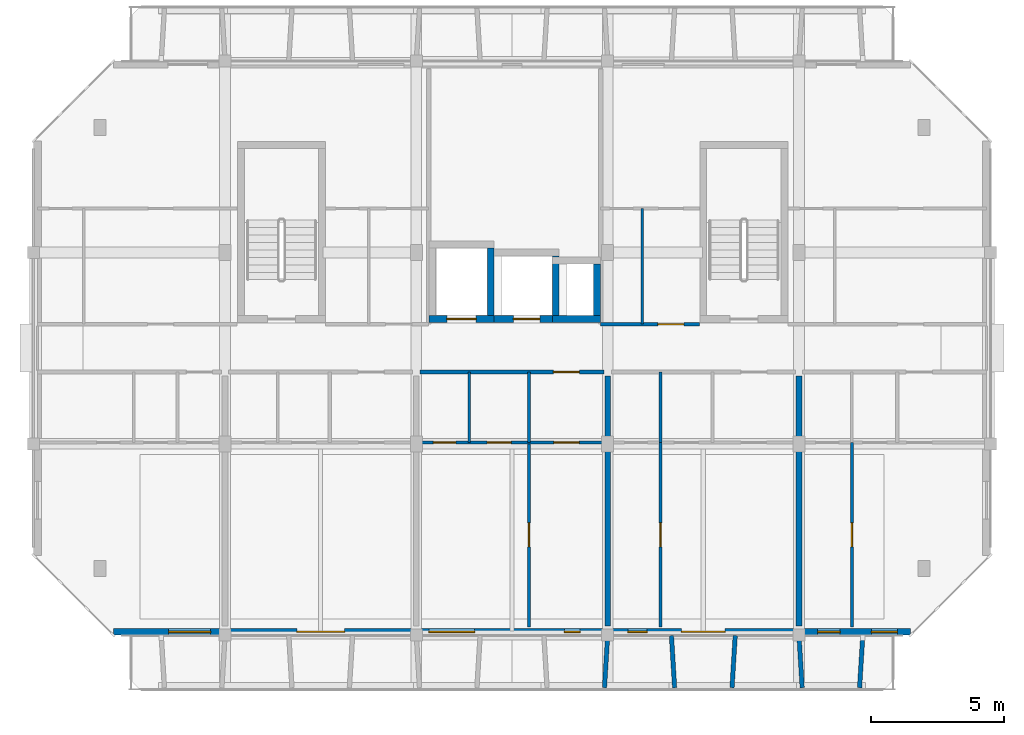
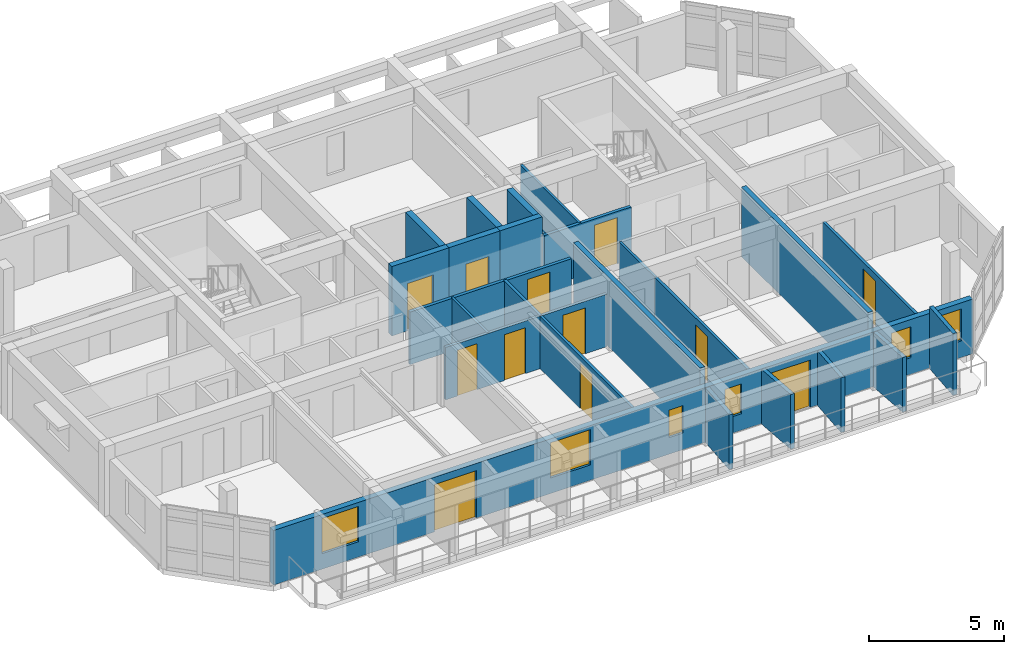
# One storey, part 9 of 22: 24 walls, 12 doors, 6 windows, 18 openings.
"""IFC4 building model written with IfcOpenShell, lengths in metres."""

from ifc_helpers import new_model, si_unit, direction, frame, frame_2d, origin, place, context, subcontext, project, spatial, rectangle, extrude, material, layer, layer_set, type_object, element, fill, save


model = new_model("IFC4")

# Units and contexts
model_context = context("Model", 3, precision=1e-05, world=origin(), true_north=direction((0.0, 1.0)))
body_context = subcontext(model_context, "Body", "Model", "MODEL_VIEW")
ifc_project = project(units=[si_unit("LENGTHUNIT", "METRE"), si_unit("AREAUNIT", "SQUARE_METRE"), si_unit("VOLUMEUNIT", "CUBIC_METRE"), si_unit("PLANEANGLEUNIT", "RADIAN"), si_unit("MASSUNIT", "GRAM", prefix="KILO")], contexts=[model_context])

# Site, building, storey
site_placement = place(None, origin())
site = spatial("IfcSite", under=ifc_project, at=site_placement, CompositionType="ELEMENT")
building_placement = place(site_placement, origin())
building = spatial("IfcBuilding", under=site, at=building_placement, Name="Ochrevale Crest", CompositionType="ELEMENT")
storey_placement = place(building_placement, frame((0.0, 0.0, 40.199951171875)))
storey = spatial("IfcBuildingStorey", under=building, at=storey_placement, Name="L12", CompositionType="ELEMENT", Elevation=40.199951171875)

# Wall, opening, door
ifc_material_1 = material(Name="Gypsum plasterboard", Category="gypsum")
ifc_layer_1 = layer(ifc_material_1, 0.139892578125)
ifc_layer_set_1 = layer_set([ifc_layer_1], Name="Gypsum plasterboard")
wall_type_1 = type_object("IfcWallType", Name="WL-COR-140", PredefinedType="PARTITIONING", material=ifc_layer_set_1)
wall_1_placement = place(storey_placement, frame((144.139892578125, 24.300048828125, 0.0), z_axis=(0.0, 0.0, 1.0), x_axis=(1.0, 0.0, 0.0)))
wall_1 = element("IfcWall", 1, at=wall_1_placement, inside=storey, type_object=wall_type_1, Name="Apartment C-L12-U3 corridor wall", PredefinedType="PARTITIONING", context=body_context, shape_type="SweptSolid", body=[
    extrude(rectangle(XDim=6.920166015625, YDim=0.139892578125, at=frame_2d((3.4599609375, 0.0))), origin(), (0.0, 0.0, 1.0), 2.380126953125),
])
opening_1_placement = place(wall_1_placement, frame((5.02001953125, 0.0, 0.0)))
opening_1 = element("IfcOpeningElement", 2, at=opening_1_placement, cuts=wall_1, Name="Opening FD01", PredefinedType="OPENING", context=body_context, shape_type="SweptSolid", body=[
    extrude(rectangle(XDim=0.97998046875, YDim=2.10009765625, at=frame_2d((0.489990234375, 1.050048828125))), frame((0.0, 0.080078125, 0.0), z_axis=(0.0, -1.0, 0.0), x_axis=(1.0, 0.0, 0.0)), (0.0, 0.0, 1.0), 0.159912109375),
])
ifc_material_2 = material(Name="Solid-core FSC hardwood", Category="wood")
door_type_1 = type_object("IfcDoorType", Name="DR-APT-950", OperationType="NOTDEFINED", PredefinedType="DOOR", material=ifc_material_2)
door_1_placement = place(opening_1_placement, origin())
door_1 = element("IfcDoor", 3, at=door_1_placement, inside=storey, type_object=door_type_1, Name="Apartment C-L12-U3 entrance door", OperationType="SINGLE_SWING_LEFT", OverallHeight=2.10009765625, OverallWidth=0.97998046875, PredefinedType="DOOR", context=body_context, shape_type="SweptSolid", body=[
    extrude(rectangle(XDim=0.97998046875, YDim=2.10009765625, at=frame_2d((0.489990234375, 1.050048828125))), frame((0.0, 0.02490234375, 0.0), z_axis=(0.0, -1.0, 0.0), x_axis=(1.0, 0.0, 0.0)), (0.0, 0.0, 1.0), 0.050048828125),
])
fill(opening_1, door_1)

wall_2_placement = place(storey_placement, frame((150.93994140625, 26.10009765625, 0.0), z_axis=(0.0, 0.0, 1.0), x_axis=(1.0, 0.0, 0.0)))
wall_2 = element("IfcWall", 4, at=wall_2_placement, inside=storey, type_object=wall_type_1, Name="Suite C-L12-ME corridor wall", PredefinedType="PARTITIONING", context=body_context, shape_type="SweptSolid", body=[
    extrude(rectangle(XDim=3.719970703125, YDim=0.139892578125, at=frame_2d((1.85986328125, 0.0))), origin(), (0.0, 0.0, 1.0), 2.380126953125),
])
opening_2_placement = place(wall_2_placement, frame((3.131103515625, 0.0, 0.0), z_axis=(0.0, 0.0, 1.0), x_axis=(-1.0, 0.0, 0.0)))
opening_2 = element("IfcOpeningElement", 5, at=opening_2_placement, cuts=wall_2, Name="Opening FD01", PredefinedType="OPENING", context=body_context, shape_type="SweptSolid", body=[
    extrude(rectangle(XDim=0.97998046875, YDim=2.10009765625, at=frame_2d((0.489990234375, 1.050048828125))), frame((0.0, 0.080078125, 0.0), z_axis=(0.0, -1.0, 0.0), x_axis=(1.0, 0.0, 0.0)), (0.0, 0.0, 1.0), 0.159912109375),
])
door_2_placement = place(opening_2_placement, origin())
door_2 = element("IfcDoor", 6, at=door_2_placement, inside=storey, type_object=door_type_1, Name="Suite C-L12-ME entrance door", OperationType="SINGLE_SWING_RIGHT", OverallHeight=2.10009765625, OverallWidth=0.97998046875, PredefinedType="DOOR", context=body_context, shape_type="SweptSolid", body=[
    extrude(rectangle(XDim=0.97998046875, YDim=2.10009765625, at=frame_2d((0.489990234375, 1.050048828125))), frame((0.0, 0.02490234375, 0.0), z_axis=(0.0, -1.0, 0.0), x_axis=(1.0, 0.0, 0.0)), (0.0, 0.0, 1.0), 0.050048828125),
])
fill(opening_2, door_2)

ifc_material_3 = material(Name="Precast concrete C50/60", Category="concrete")
ifc_layer_2 = layer(ifc_material_3, 0.2548828125)
ifc_layer_set_2 = layer_set([ifc_layer_2], Name="Precast concrete C50/60")
wall_type_2 = type_object("IfcWallType", Name="WL-CORE-255", PredefinedType="SHEAR", material=ifc_layer_set_2)
wall_3_placement = place(storey_placement, frame((144.472412109375, 26.300048828125, 0.0), z_axis=(0.0, 0.0, 1.0), x_axis=(1.0, 0.0, 0.0)))
wall_3 = element("IfcWall", 7, at=wall_3_placement, inside=storey, type_object=wall_type_2, Name="Block C L12 Lift 1 precast shaft shear wall S", PredefinedType="SHEAR", context=body_context, shape_type="SweptSolid", body=[
    extrude(rectangle(XDim=2.455078125, YDim=0.2548828125, at=frame_2d((1.2275390625, 0.0))), origin(), (0.0, 0.0, 1.0), 3.150146484375),
])
opening_3_placement = place(wall_3_placement, frame((0.677490234375, 0.0, 0.0)))
opening_3 = element("IfcOpeningElement", 8, at=opening_3_placement, cuts=wall_3, Name="Opening LD01", PredefinedType="OPENING", context=body_context, shape_type="SweptSolid", body=[
    extrude(rectangle(XDim=1.10009765625, YDim=2.14990234375, at=frame_2d((0.550048828125, 1.074951171875))), frame((0.0, 0.137451171875, 0.0), z_axis=(0.0, -1.0, 0.0), x_axis=(1.0, 0.0, 0.0)), (0.0, 0.0, 1.0), 0.27490234375),
])
door_type_2 = type_object("IfcDoorType", Name="DR-LIFT-1100", OperationType="NOTDEFINED", PredefinedType="DOOR", material=ifc_material_2)
door_3_placement = place(opening_3_placement, origin())
door_3 = element("IfcDoor", 9, at=door_3_placement, inside=storey, type_object=door_type_2, Name="Lift LF-C1 L12 sliding landing door", OperationType="SLIDING_TO_LEFT", OverallHeight=2.14990234375, OverallWidth=1.10009765625, PredefinedType="DOOR", context=body_context, shape_type="SweptSolid", body=[
    extrude(rectangle(XDim=1.10009765625, YDim=2.14990234375, at=frame_2d((0.550048828125, 1.074951171875))), frame((0.0, 0.02490234375, 0.0), z_axis=(0.0, -1.0, 0.0), x_axis=(1.0, 0.0, 0.0)), (0.0, 0.0, 1.0), 0.050048828125),
])
fill(opening_3, door_3)

# Wall
wall_4_placement = place(storey_placement, frame((146.800048828125, 26.427490234375, 0.0), z_axis=(0.0, 0.0, 1.0), x_axis=(0.0, 1.0, 0.0)))
element("IfcWall", 10, at=wall_4_placement, inside=storey, type_object=wall_type_2, Name="Block C L12 Lift 1 precast shaft shear wall E", PredefinedType="SHEAR", context=body_context, shape_type="SweptSolid", body=[
    extrude(rectangle(XDim=2.544921875, YDim=0.2548828125, at=frame_2d((1.2724609375, 0.0))), origin(), (0.0, 0.0, 1.0), 3.150146484375),
])

# Wall, opening, door
wall_5_placement = place(storey_placement, frame((146.922607421875, 26.300048828125, 0.0), z_axis=(0.0, 0.0, 1.0), x_axis=(1.0, 0.0, 0.0)))
wall_5 = element("IfcWall", 11, at=wall_5_placement, inside=storey, type_object=wall_type_2, Name="Block C L12 Lift 2 precast shaft shear wall S", PredefinedType="SHEAR", context=body_context, shape_type="SweptSolid", body=[
    extrude(rectangle(XDim=2.454833984375, YDim=0.2548828125, at=frame_2d((1.2275390625, 0.0))), origin(), (0.0, 0.0, 1.0), 3.150146484375),
])
opening_4_placement = place(wall_5_placement, frame((0.7275390625, 0.0, 0.0)))
opening_4 = element("IfcOpeningElement", 12, at=opening_4_placement, cuts=wall_5, Name="Opening LD02", PredefinedType="OPENING", context=body_context, shape_type="SweptSolid", body=[
    extrude(rectangle(XDim=1.0, YDim=2.14990234375, at=frame_2d((0.5, 1.074951171875))), frame((0.0, 0.137451171875, 0.0), z_axis=(0.0, -1.0, 0.0), x_axis=(1.0, 0.0, 0.0)), (0.0, 0.0, 1.0), 0.27490234375),
])
door_type_3 = type_object("IfcDoorType", Name="DR-LIFT-1000", OperationType="NOTDEFINED", PredefinedType="DOOR", material=ifc_material_2)
door_4_placement = place(opening_4_placement, origin())
door_4 = element("IfcDoor", 13, at=door_4_placement, inside=storey, type_object=door_type_3, Name="Lift LP-C2 L12 sliding landing door", OperationType="SLIDING_TO_RIGHT", OverallHeight=2.14990234375, OverallWidth=1.0, PredefinedType="DOOR", context=body_context, shape_type="SweptSolid", body=[
    extrude(rectangle(XDim=1.0, YDim=2.14990234375, at=frame_2d((0.5, 1.074951171875))), frame((0.0, 0.02490234375, 0.0), z_axis=(0.0, -1.0, 0.0), x_axis=(1.0, 0.0, 0.0)), (0.0, 0.0, 1.0), 0.050048828125),
])
fill(opening_4, door_4)

# Walls
wall_6_placement = place(storey_placement, frame((149.25, 26.427490234375, 0.0), z_axis=(0.0, 0.0, 1.0), x_axis=(0.0, 1.0, 0.0)))
element("IfcWall", 14, at=wall_6_placement, inside=storey, type_object=wall_type_2, Name="Block C L12 Lift 2 precast shaft shear wall E", PredefinedType="SHEAR", context=body_context, shape_type="SweptSolid", body=[
    extrude(rectangle(XDim=2.2451171875, YDim=0.2548828125, at=frame_2d((1.12255859375, 0.0))), origin(), (0.0, 0.0, 1.0), 3.150146484375),
])
wall_7_placement = place(storey_placement, frame((149.12255859375, 26.300048828125, 0.0), z_axis=(0.0, 0.0, 1.0), x_axis=(1.0, 0.0, 0.0)))
element("IfcWall", 15, at=wall_7_placement, inside=storey, type_object=wall_type_2, Name="Block C L12 services riser shaft core wall S", PredefinedType="SHEAR", context=body_context, shape_type="SweptSolid", body=[
    extrude(rectangle(XDim=1.804931640625, YDim=0.2548828125, at=frame_2d((0.90234375, 0.0))), origin(), (0.0, 0.0, 1.0), 3.150146484375),
])
wall_8_placement = place(storey_placement, frame((150.800048828125, 26.427490234375, 0.0), z_axis=(0.0, 0.0, 1.0), x_axis=(0.0, 1.0, 0.0)))
element("IfcWall", 16, at=wall_8_placement, inside=storey, type_object=wall_type_2, Name="Block C L12 services riser shaft core wall E", PredefinedType="SHEAR", context=body_context, shape_type="SweptSolid", body=[
    extrude(rectangle(XDim=1.945068359375, YDim=0.2548828125, at=frame_2d((0.97265625, 0.0))), origin(), (0.0, 0.0, 1.0), 3.150146484375),
])

# Wall, openings, doors, windows
ifc_material_4 = material(Name="Precast concrete C40/50", Category="concrete")
ifc_layer_3 = layer(ifc_material_4, 0.25)
ifc_layer_set_3 = layer_set([ifc_layer_3], Name="Precast concrete C40/50")
wall_type_3 = type_object("IfcWallType", Name="WL-EXT-GOLD-250", PredefinedType="SOLIDWALL", material=ifc_layer_set_3)
wall_9_placement = place(storey_placement, frame((132.60009765625, 14.52490234375, 0.0), z_axis=(0.0, 0.0, 1.0), x_axis=(1.0, 0.0, 0.0)))
wall_9 = element("IfcWall", 17, at=wall_9_placement, inside=storey, type_object=wall_type_3, Name="Block C L12 external facade wall E1", PredefinedType="SOLIDWALL", context=body_context, shape_type="SweptSolid", body=[
    extrude(rectangle(XDim=30.0, YDim=0.25, at=frame_2d((15.0, 0.0))), origin(), (0.0, 0.0, 1.0), 2.47998046875),
])
opening_5_placement = place(wall_9_placement, frame((8.699951171875, 0.0, 0.0), z_axis=(0.0, 0.0, 1.0), x_axis=(-1.0, 0.0, 0.0)))
opening_5 = element("IfcOpeningElement", 18, at=opening_5_placement, cuts=wall_9, Name="Opening BD03", PredefinedType="OPENING", context=body_context, shape_type="SweptSolid", body=[
    extrude(rectangle(XDim=1.800048828125, YDim=2.14990234375, at=frame_2d((0.89990234375, 1.074951171875))), frame((0.0, 0.135009765625, 0.0), z_axis=(0.0, -1.0, 0.0), x_axis=(1.0, 0.0, 0.0)), (0.0, 0.0, 1.0), 0.27001953125),
])
opening_6_placement = place(wall_9_placement, frame((23.02490234375, 0.0, 0.0), z_axis=(0.0, 0.0, 1.0), x_axis=(-1.0, 0.0, 0.0)))
opening_6 = element("IfcOpeningElement", 19, at=opening_6_placement, cuts=wall_9, Name="Opening BD02", PredefinedType="OPENING", context=body_context, shape_type="SweptSolid", body=[
    extrude(rectangle(XDim=1.64990234375, YDim=2.14990234375, at=frame_2d((0.824951171875, 1.074951171875))), frame((0.0, 0.135009765625, 0.0), z_axis=(0.0, -1.0, 0.0), x_axis=(1.0, 0.0, 0.0)), (0.0, 0.0, 1.0), 0.27001953125),
])
opening_7_placement = place(wall_9_placement, frame((2.077392578125, 0.0, 0.699951171875)))
opening_7 = element("IfcOpeningElement", 20, at=opening_7_placement, cuts=wall_9, Name="Opening W09", PredefinedType="OPENING", context=body_context, shape_type="SweptSolid", body=[
    extrude(rectangle(XDim=1.580078125, YDim=1.60009765625, at=frame_2d((0.7900390625, 0.800048828125))), frame((0.0, 0.135009765625, 0.0), z_axis=(0.0, -1.0, 0.0), x_axis=(1.0, 0.0, 0.0)), (0.0, 0.0, 1.0), 0.27001953125),
])
opening_8_placement = place(wall_9_placement, frame((11.87255859375, 0.0, 0.699951171875)))
opening_8 = element("IfcOpeningElement", 21, at=opening_8_placement, cuts=wall_9, Name="Opening W10", PredefinedType="OPENING", context=body_context, shape_type="SweptSolid", body=[
    extrude(rectangle(XDim=1.719970703125, YDim=1.60009765625, at=frame_2d((0.85986328125, 0.800048828125))), frame((0.0, 0.135009765625, 0.0), z_axis=(0.0, -1.0, 0.0), x_axis=(1.0, 0.0, 0.0)), (0.0, 0.0, 1.0), 0.27001953125),
])
opening_9_placement = place(wall_9_placement, frame((16.967529296875, 0.0, 0.75)))
opening_9 = element("IfcOpeningElement", 22, at=opening_9_placement, cuts=wall_9, Name="Opening W01", PredefinedType="OPENING", context=body_context, shape_type="SweptSolid", body=[
    extrude(rectangle(XDim=0.60009765625, YDim=1.25, at=frame_2d((0.300048828125, 0.625))), frame((0.0, 0.135009765625, 0.0), z_axis=(0.0, -1.0, 0.0), x_axis=(1.0, 0.0, 0.0)), (0.0, 0.0, 1.0), 0.27001953125),
])
opening_10_placement = place(wall_9_placement, frame((19.362548828125, 0.0, 0.75)))
opening_10 = element("IfcOpeningElement", 23, at=opening_10_placement, cuts=wall_9, Name="Opening W02", PredefinedType="OPENING", context=body_context, shape_type="SweptSolid", body=[
    extrude(rectangle(XDim=0.719970703125, YDim=1.35009765625, at=frame_2d((0.35986328125, 0.675048828125))), frame((0.0, 0.135009765625, 0.0), z_axis=(0.0, -1.0, 0.0), x_axis=(1.0, 0.0, 0.0)), (0.0, 0.0, 1.0), 0.27001953125),
])
opening_11_placement = place(wall_9_placement, frame((26.49755859375, 0.0, 0.75)))
opening_11 = element("IfcOpeningElement", 24, at=opening_11_placement, cuts=wall_9, Name="Opening W03", PredefinedType="OPENING", context=body_context, shape_type="SweptSolid", body=[
    extrude(rectangle(XDim=0.85009765625, YDim=1.39990234375, at=frame_2d((0.425048828125, 0.699951171875))), frame((0.0, 0.135009765625, 0.0), z_axis=(0.0, -1.0, 0.0), x_axis=(1.0, 0.0, 0.0)), (0.0, 0.0, 1.0), 0.27001953125),
])
opening_12_placement = place(wall_9_placement, frame((28.52490234375, 0.0, 0.75)))
opening_12 = element("IfcOpeningElement", 25, at=opening_12_placement, cuts=wall_9, Name="Opening W04", PredefinedType="OPENING", context=body_context, shape_type="SweptSolid", body=[
    extrude(rectangle(XDim=0.97998046875, YDim=1.449951171875, at=frame_2d((0.489990234375, 0.72509765625))), frame((0.0, 0.135009765625, 0.0), z_axis=(0.0, -1.0, 0.0), x_axis=(1.0, 0.0, 0.0)), (0.0, 0.0, 1.0), 0.27001953125),
])
ifc_material_5 = material(Name="Anodised aluminium 6063-T5 and toughened glass", Category="aluminium")
door_type_4 = type_object("IfcDoorType", Name="DR-BAL-1650", OperationType="NOTDEFINED", PredefinedType="DOOR", material=ifc_material_5)
door_5_placement = place(opening_6_placement, origin())
door_5 = element("IfcDoor", 26, at=door_5_placement, inside=storey, type_object=door_type_4, Name="Block C L12 balcony door S4", OperationType="SINGLE_SWING_LEFT", OverallHeight=2.14990234375, OverallWidth=1.64990234375, PredefinedType="DOOR", context=body_context, shape_type="SweptSolid", body=[
    extrude(rectangle(XDim=1.64990234375, YDim=2.14990234375, at=frame_2d((0.824951171875, 1.074951171875))), frame((0.0, 0.02490234375, 0.0), z_axis=(0.0, -1.0, 0.0), x_axis=(1.0, 0.0, 0.0)), (0.0, 0.0, 1.0), 0.050048828125),
])
fill(opening_6, door_5)
door_type_5 = type_object("IfcDoorType", Name="DR-BAL-1800", OperationType="NOTDEFINED", PredefinedType="DOOR", material=ifc_material_5)
door_6_placement = place(opening_5_placement, origin())
door_6 = element("IfcDoor", 27, at=door_6_placement, inside=storey, type_object=door_type_5, Name="Block C L12 balcony door S2", OperationType="SINGLE_SWING_RIGHT", OverallHeight=2.14990234375, OverallWidth=1.800048828125, PredefinedType="DOOR", context=body_context, shape_type="SweptSolid", body=[
    extrude(rectangle(XDim=1.800048828125, YDim=2.14990234375, at=frame_2d((0.89990234375, 1.074951171875))), frame((0.0, 0.02490234375, 0.0), z_axis=(0.0, -1.0, 0.0), x_axis=(1.0, 0.0, 0.0)), (0.0, 0.0, 1.0), 0.050048828125),
])
fill(opening_5, door_6)
ifc_material_6 = material(Name="Anodised aluminium 6063-T5 and low-E double glazing", Category="aluminium")
window_type_1 = type_object("IfcWindowType", Name="WIN-W01", PartitioningType="SINGLE_PANEL", PredefinedType="WINDOW", material=ifc_material_6)
window_1_placement = place(opening_9_placement, origin())
window_1 = element("IfcWindow", 28, at=window_1_placement, inside=storey, type_object=window_type_1, Name="Block C L12 Apartment C-L12-U3 Two Bedroom Living Room window", OverallHeight=1.25, OverallWidth=0.60009765625, PartitioningType="SINGLE_PANEL", PredefinedType="WINDOW", context=body_context, shape_type="SweptSolid", body=[
    extrude(rectangle(XDim=0.60009765625, YDim=1.25, at=frame_2d((0.300048828125, 0.625))), frame((0.0, 0.030029296875, 0.0), z_axis=(0.0, -1.0, 0.0), x_axis=(1.0, 0.0, 0.0)), (0.0, 0.0, 1.0), 0.06005859375),
])
fill(opening_9, window_1)
window_type_2 = type_object("IfcWindowType", Name="WIN-W02", PartitioningType="SINGLE_PANEL", PredefinedType="WINDOW", material=ifc_material_6)
window_2_placement = place(opening_10_placement, origin())
window_2 = element("IfcWindow", 29, at=window_2_placement, inside=storey, type_object=window_type_2, Name="Block C L12 Apartment C-L12-U4 Master Bedroom window", OverallHeight=1.35009765625, OverallWidth=0.719970703125, PartitioningType="SINGLE_PANEL", PredefinedType="WINDOW", context=body_context, shape_type="SweptSolid", body=[
    extrude(rectangle(XDim=0.719970703125, YDim=1.35009765625, at=frame_2d((0.35986328125, 0.675048828125))), frame((0.0, 0.030029296875, 0.0), z_axis=(0.0, -1.0, 0.0), x_axis=(1.0, 0.0, 0.0)), (0.0, 0.0, 1.0), 0.06005859375),
])
fill(opening_10, window_2)
window_type_3 = type_object("IfcWindowType", Name="WIN-W03", PartitioningType="SINGLE_PANEL", PredefinedType="WINDOW", material=ifc_material_6)
window_3_placement = place(opening_11_placement, origin())
window_3 = element("IfcWindow", 30, at=window_3_placement, inside=storey, type_object=window_type_3, Name="Block C L12 Apartment C-L12-U5 Twin Bedroom window", OverallHeight=1.39990234375, OverallWidth=0.85009765625, PartitioningType="SINGLE_PANEL", PredefinedType="WINDOW", context=body_context, shape_type="SweptSolid", body=[
    extrude(rectangle(XDim=0.85009765625, YDim=1.39990234375, at=frame_2d((0.425048828125, 0.699951171875))), frame((0.0, 0.030029296875, 0.0), z_axis=(0.0, -1.0, 0.0), x_axis=(1.0, 0.0, 0.0)), (0.0, 0.0, 1.0), 0.06005859375),
])
fill(opening_11, window_3)
window_type_4 = type_object("IfcWindowType", Name="WIN-W04", PartitioningType="SINGLE_PANEL", PredefinedType="WINDOW", material=ifc_material_6)
window_4_placement = place(opening_12_placement, origin())
window_4 = element("IfcWindow", 31, at=window_4_placement, inside=storey, type_object=window_type_4, Name="Block C L12 Apartment C-L12-U5 Three Bedroom Family Living window", OverallHeight=1.449951171875, OverallWidth=0.97998046875, PartitioningType="SINGLE_PANEL", PredefinedType="WINDOW", context=body_context, shape_type="SweptSolid", body=[
    extrude(rectangle(XDim=0.97998046875, YDim=1.449951171875, at=frame_2d((0.489990234375, 0.72509765625))), frame((0.0, 0.030029296875, 0.0), z_axis=(0.0, -1.0, 0.0), x_axis=(1.0, 0.0, 0.0)), (0.0, 0.0, 1.0), 0.06005859375),
])
fill(opening_12, window_4)
window_type_5 = type_object("IfcWindowType", Name="WIN-W09", PartitioningType="SINGLE_PANEL", PredefinedType="WINDOW", material=ifc_material_6)
window_5_placement = place(opening_7_placement, origin())
window_5 = element("IfcWindow", 32, at=window_5_placement, inside=storey, type_object=window_type_5, Name="Block C L12 Studio C-L12-U1 Living Room window", OverallHeight=1.60009765625, OverallWidth=1.580078125, PartitioningType="SINGLE_PANEL", PredefinedType="WINDOW", context=body_context, shape_type="SweptSolid", body=[
    extrude(rectangle(XDim=1.580078125, YDim=1.60009765625, at=frame_2d((0.7900390625, 0.800048828125))), frame((0.0, 0.030029296875, 0.0), z_axis=(0.0, -1.0, 0.0), x_axis=(1.0, 0.0, 0.0)), (0.0, 0.0, 1.0), 0.06005859375),
])
fill(opening_7, window_5)
window_type_6 = type_object("IfcWindowType", Name="WIN-W10", PartitioningType="SINGLE_PANEL", PredefinedType="WINDOW", material=ifc_material_6)
window_6_placement = place(opening_8_placement, origin())
window_6 = element("IfcWindow", 33, at=window_6_placement, inside=storey, type_object=window_type_6, Name="Block C L12 Apartment C-L12-U3 Double Bedroom window", OverallHeight=1.60009765625, OverallWidth=1.719970703125, PartitioningType="SINGLE_PANEL", PredefinedType="WINDOW", context=body_context, shape_type="SweptSolid", body=[
    extrude(rectangle(XDim=1.719970703125, YDim=1.60009765625, at=frame_2d((0.85986328125, 0.800048828125))), frame((0.0, 0.030029296875, 0.0), z_axis=(0.0, -1.0, 0.0), x_axis=(1.0, 0.0, 0.0)), (0.0, 0.0, 1.0), 0.06005859375),
])
fill(opening_8, window_6)

# Walls
ifc_layer_4 = layer(ifc_material_4, 0.1650390625)
ifc_layer_set_4 = layer_set([ifc_layer_4], Name="Precast concrete C40/50")
wall_type_4 = type_object("IfcWallType", Name="WL-HC-CHEEK-165", PredefinedType="ELEMENTEDWALL", material=ifc_layer_set_4)
for number, where, z_axis, x_axis, name in (
    (34, (151.199951171875, 14.3798828125, 0.0), (0.0, 0.0, 1.0), (-0.061046865508, -0.998134900808, 0.0), "Block C L12 S precast honeycomb cheek 8"),
    (35, (153.60009765625, 14.3798828125, 0.0), (0.0, 0.0, 1.0), (0.061046865508, -0.998134900808, 0.0), "Block C L12 S precast honeycomb cheek 9"),
    (36, (156.0, 14.3798828125, 0.0), (0.0, 0.0, 1.0), (-0.061170732449, -0.998127317276, 0.0), "Block C L12 S precast honeycomb cheek 10"),
    (37, (158.39990234375, 14.3798828125, 0.0), (0.0, 0.0, 1.0), (0.061170732449, -0.998127317276, 0.0), "Block C L12 S precast honeycomb cheek 11"),
):
    element("IfcWall", number, at=place(storey_placement, frame(where, z_axis=z_axis, x_axis=x_axis)), inside=storey, type_object=wall_type_4, Name=name, PredefinedType="ELEMENTEDWALL", context=body_context, shape_type="SweptSolid", body=[
        extrude(rectangle(XDim=1.963623046875, YDim=0.1650390625, at=frame_2d((0.98193359375, 0.0))), origin(), (0.0, 0.0, 1.0), 2.47998046875),
    ])
wall_10_placement = place(storey_placement, frame((160.800048828125, 14.3798828125, 0.0), z_axis=(0.0, 0.0, 1.0), x_axis=(-0.061170732449, -0.998127317276, 0.0)))
element("IfcWall", 38, at=wall_10_placement, inside=storey, type_object=wall_type_4, Name="Block C L12 S precast honeycomb cheek 12", PredefinedType="ELEMENTEDWALL", context=body_context, shape_type="SweptSolid", body=[
    extrude(rectangle(XDim=1.963623046875, YDim=0.1650390625, at=frame_2d((0.98193359375, 0.0))), origin(), (0.0, 0.0, 1.0), 2.800048828125),
])
ifc_layer_5 = layer(ifc_material_1, 0.1201171875)
ifc_layer_set_5 = layer_set([ifc_layer_5], Name="Gypsum plasterboard")
wall_type_5 = type_object("IfcWallType", Name="WL-PART-120", PredefinedType="PARTITIONING", material=ifc_layer_set_5)
wall_11_placement = place(storey_placement, frame((148.239990234375, 21.64990234375, 0.0), z_axis=(0.0, 0.0, 1.0), x_axis=(0.0, 1.0, 0.0)))
element("IfcWall", 39, at=wall_11_placement, inside=storey, type_object=wall_type_5, Name="Apartment C-L12-U3 kitchen-foyer wall", PredefinedType="PARTITIONING", context=body_context, shape_type="SweptSolid", body=[
    extrude(rectangle(XDim=2.650146484375, YDim=0.1201171875, at=frame_2d((1.3251953125, 0.0))), origin(), (0.0, 0.0, 1.0), 2.380126953125),
])

# Wall, openings, doors
wall_12_placement = place(storey_placement, frame((144.139892578125, 21.64990234375, 0.0), z_axis=(0.0, 0.0, 1.0), x_axis=(1.0, 0.0, 0.0)))
wall_12 = element("IfcWall", 40, at=wall_12_placement, inside=storey, type_object=wall_type_5, Name="Apartment C-L12-U3 central partition", PredefinedType="PARTITIONING", context=body_context, shape_type="SweptSolid", body=[
    extrude(rectangle(XDim=6.920166015625, YDim=0.1201171875, at=frame_2d((3.4599609375, 0.0))), origin(), (0.0, 0.0, 1.0), 2.380126953125),
])
opening_13_placement = place(wall_12_placement, frame((1.35009765625, 0.0, 0.0), z_axis=(0.0, 0.0, 1.0), x_axis=(-1.0, 0.0, 0.0)))
opening_13 = element("IfcOpeningElement", 41, at=opening_13_placement, cuts=wall_12, Name="Opening ID01", PredefinedType="OPENING", context=body_context, shape_type="SweptSolid", body=[
    extrude(rectangle(XDim=0.85009765625, YDim=2.080078125, at=frame_2d((0.425048828125, 1.0400390625))), frame((0.0, 0.070068359375, 0.0), z_axis=(0.0, -1.0, 0.0), x_axis=(1.0, 0.0, 0.0)), (0.0, 0.0, 1.0), 0.14013671875),
])
opening_14_placement = place(wall_12_placement, frame((2.52490234375, 0.0, 0.0)))
opening_14 = element("IfcOpeningElement", 42, at=opening_14_placement, cuts=wall_12, Name="Opening ID02", PredefinedType="OPENING", context=body_context, shape_type="SweptSolid", body=[
    extrude(rectangle(XDim=0.89990234375, YDim=2.080078125, at=frame_2d((0.449951171875, 1.0400390625))), frame((0.0, 0.070068359375, 0.0), z_axis=(0.0, -1.0, 0.0), x_axis=(1.0, 0.0, 0.0)), (0.0, 0.0, 1.0), 0.14013671875),
])
opening_15_placement = place(wall_12_placement, frame((5.98486328125, 0.0, 0.0), z_axis=(0.0, 0.0, 1.0), x_axis=(-1.0, 0.0, 0.0)))
opening_15 = element("IfcOpeningElement", 43, at=opening_15_placement, cuts=wall_12, Name="Opening ID06", PredefinedType="OPENING", context=body_context, shape_type="SweptSolid", body=[
    extrude(rectangle(XDim=0.949951171875, YDim=2.080078125, at=frame_2d((0.47509765625, 1.0400390625))), frame((0.0, 0.070068359375, 0.0), z_axis=(0.0, -1.0, 0.0), x_axis=(1.0, 0.0, 0.0)), (0.0, 0.0, 1.0), 0.14013671875),
])
door_type_6 = type_object("IfcDoorType", Name="DR-INT-900", OperationType="NOTDEFINED", PredefinedType="DOOR", material=ifc_material_2)
door_7_placement = place(opening_14_placement, origin())
door_7 = element("IfcDoor", 44, at=door_7_placement, inside=storey, type_object=door_type_6, Name="Apartment C-L12-U3 Kitchen door", OperationType="SINGLE_SWING_LEFT", OverallHeight=2.080078125, OverallWidth=0.89990234375, PredefinedType="DOOR", context=body_context, shape_type="SweptSolid", body=[
    extrude(rectangle(XDim=0.89990234375, YDim=2.080078125, at=frame_2d((0.449951171875, 1.0400390625))), frame((0.0, 0.02490234375, 0.0), z_axis=(0.0, -1.0, 0.0), x_axis=(1.0, 0.0, 0.0)), (0.0, 0.0, 1.0), 0.050048828125),
])
fill(opening_14, door_7)
door_type_7 = type_object("IfcDoorType", Name="DR-INT-950", OperationType="NOTDEFINED", PredefinedType="DOOR", material=ifc_material_2)
door_8_placement = place(opening_15_placement, origin())
door_8 = element("IfcDoor", 45, at=door_8_placement, inside=storey, type_object=door_type_7, Name="Apartment C-L12-U3 Living Foyer door", OperationType="SINGLE_SWING_RIGHT", OverallHeight=2.080078125, OverallWidth=0.949951171875, PredefinedType="DOOR", context=body_context, shape_type="SweptSolid", body=[
    extrude(rectangle(XDim=0.949951171875, YDim=2.080078125, at=frame_2d((0.47509765625, 1.0400390625))), frame((0.0, 0.02490234375, 0.0), z_axis=(0.0, -1.0, 0.0), x_axis=(1.0, 0.0, 0.0)), (0.0, 0.0, 1.0), 0.050048828125),
])
fill(opening_15, door_8)
door_type_8 = type_object("IfcDoorType", Name="DR-WC-850", OperationType="NOTDEFINED", PredefinedType="DOOR", material=ifc_material_2)
door_9_placement = place(opening_13_placement, origin())
door_9 = element("IfcDoor", 46, at=door_9_placement, inside=storey, type_object=door_type_8, Name="Apartment C-L12-U3 Bathroom door", OperationType="SINGLE_SWING_RIGHT", OverallHeight=2.080078125, OverallWidth=0.85009765625, PredefinedType="DOOR", context=body_context, shape_type="SweptSolid", body=[
    extrude(rectangle(XDim=0.85009765625, YDim=2.080078125, at=frame_2d((0.425048828125, 1.0400390625))), frame((0.0, 0.02490234375, 0.0), z_axis=(0.0, -1.0, 0.0), x_axis=(1.0, 0.0, 0.0)), (0.0, 0.0, 1.0), 0.050048828125),
])
fill(opening_13, door_9)

# Wall, opening, door
wall_13_placement = place(storey_placement, frame((148.239990234375, 14.699951171875, 0.0), z_axis=(0.0, 0.0, 1.0), x_axis=(0.0, 1.0, 0.0)))
wall_13 = element("IfcWall", 47, at=wall_13_placement, inside=storey, type_object=wall_type_5, Name="Apartment C-L12-U3 bedroom partition", PredefinedType="PARTITIONING", context=body_context, shape_type="SweptSolid", body=[
    extrude(rectangle(XDim=6.949951171875, YDim=0.1201171875, at=frame_2d((3.47509765625, 0.0))), origin(), (0.0, 0.0, 1.0), 2.380126953125),
])
opening_16_placement = place(wall_13_placement, frame((3.02490234375, 0.0, 0.0)))
opening_16 = element("IfcOpeningElement", 48, at=opening_16_placement, cuts=wall_13, Name="Opening ID02", PredefinedType="OPENING", context=body_context, shape_type="SweptSolid", body=[
    extrude(rectangle(XDim=0.89990234375, YDim=2.080078125, at=frame_2d((0.449951171875, 1.0400390625))), frame((0.0, 0.070068359375, 0.0), z_axis=(0.0, -1.0, 0.0), x_axis=(1.0, 0.0, 0.0)), (0.0, 0.0, 1.0), 0.14013671875),
])
door_10_placement = place(opening_16_placement, origin())
door_10 = element("IfcDoor", 49, at=door_10_placement, inside=storey, type_object=door_type_6, Name="Apartment C-L12-U3 Double Bedroom door", OperationType="SINGLE_SWING_LEFT", OverallHeight=2.080078125, OverallWidth=0.89990234375, PredefinedType="DOOR", context=body_context, shape_type="SweptSolid", body=[
    extrude(rectangle(XDim=0.89990234375, YDim=2.080078125, at=frame_2d((0.449951171875, 1.0400390625))), frame((0.0, 0.02490234375, 0.0), z_axis=(0.0, -1.0, 0.0), x_axis=(1.0, 0.0, 0.0)), (0.0, 0.0, 1.0), 0.050048828125),
])
fill(opening_16, door_10)

wall_14_placement = place(storey_placement, frame((153.18994140625, 14.699951171875, 0.0), z_axis=(0.0, 0.0, 1.0), x_axis=(0.0, 1.0, 0.0)))
wall_14 = element("IfcWall", 50, at=wall_14_placement, inside=storey, type_object=wall_type_5, Name="Apartment C-L12-U4 bedroom partition", PredefinedType="PARTITIONING", context=body_context, shape_type="SweptSolid", body=[
    extrude(rectangle(XDim=6.949951171875, YDim=0.1201171875, at=frame_2d((3.47509765625, 0.0))), origin(), (0.0, 0.0, 1.0), 2.380126953125),
])
opening_17_placement = place(wall_14_placement, frame((3.9248046875, 0.0, 0.0), z_axis=(0.0, 0.0, 1.0), x_axis=(-1.0, 0.0, 0.0)))
opening_17 = element("IfcOpeningElement", 51, at=opening_17_placement, cuts=wall_14, Name="Opening ID02", PredefinedType="OPENING", context=body_context, shape_type="SweptSolid", body=[
    extrude(rectangle(XDim=0.89990234375, YDim=2.080078125, at=frame_2d((0.449951171875, 1.0400390625))), frame((0.0, 0.070068359375, 0.0), z_axis=(0.0, -1.0, 0.0), x_axis=(1.0, 0.0, 0.0)), (0.0, 0.0, 1.0), 0.14013671875),
])
door_11_placement = place(opening_17_placement, origin())
door_11 = element("IfcDoor", 52, at=door_11_placement, inside=storey, type_object=door_type_6, Name="Apartment C-L12-U4 Master Bedroom door", OperationType="SINGLE_SWING_RIGHT", OverallHeight=2.080078125, OverallWidth=0.89990234375, PredefinedType="DOOR", context=body_context, shape_type="SweptSolid", body=[
    extrude(rectangle(XDim=0.89990234375, YDim=2.080078125, at=frame_2d((0.449951171875, 1.0400390625))), frame((0.0, 0.02490234375, 0.0), z_axis=(0.0, -1.0, 0.0), x_axis=(1.0, 0.0, 0.0)), (0.0, 0.0, 1.0), 0.050048828125),
])
fill(opening_17, door_11)

wall_15_placement = place(storey_placement, frame((160.389892578125, 14.699951171875, 0.0), z_axis=(0.0, 0.0, 1.0), x_axis=(0.0, 1.0, 0.0)))
wall_15 = element("IfcWall", 53, at=wall_15_placement, inside=storey, type_object=wall_type_5, Name="Apartment C-L12-U5 bedroom partition", PredefinedType="PARTITIONING", context=body_context, shape_type="SweptSolid", body=[
    extrude(rectangle(XDim=6.949951171875, YDim=0.1201171875, at=frame_2d((3.47509765625, 0.0))), origin(), (0.0, 0.0, 1.0), 2.380126953125),
])
opening_18_placement = place(wall_15_placement, frame((3.02490234375, 0.0, 0.0)))
opening_18 = element("IfcOpeningElement", 54, at=opening_18_placement, cuts=wall_15, Name="Opening ID02", PredefinedType="OPENING", context=body_context, shape_type="SweptSolid", body=[
    extrude(rectangle(XDim=0.89990234375, YDim=2.080078125, at=frame_2d((0.449951171875, 1.0400390625))), frame((0.0, 0.070068359375, 0.0), z_axis=(0.0, -1.0, 0.0), x_axis=(1.0, 0.0, 0.0)), (0.0, 0.0, 1.0), 0.14013671875),
])
door_12_placement = place(opening_18_placement, origin())
door_12 = element("IfcDoor", 55, at=door_12_placement, inside=storey, type_object=door_type_6, Name="Apartment C-L12-U5 Twin Bedroom door", OperationType="SINGLE_SWING_LEFT", OverallHeight=2.080078125, OverallWidth=0.89990234375, PredefinedType="DOOR", context=body_context, shape_type="SweptSolid", body=[
    extrude(rectangle(XDim=0.89990234375, YDim=2.080078125, at=frame_2d((0.449951171875, 1.0400390625))), frame((0.0, 0.02490234375, 0.0), z_axis=(0.0, -1.0, 0.0), x_axis=(1.0, 0.0, 0.0)), (0.0, 0.0, 1.0), 0.050048828125),
])
fill(opening_18, door_12)

# Walls
ifc_layer_6 = layer(ifc_material_4, 0.2099609375)
ifc_layer_set_6 = layer_set([ifc_layer_6], Name="Precast concrete C40/50")
wall_type_6 = type_object("IfcWallType", Name="WL-SHEAR-210", PredefinedType="SHEAR", material=ifc_layer_set_6)
for number, where, z_axis, x_axis, name in (
    (56, (151.199951171875, 14.75, 0.0), (0.0, 0.0, 1.0), (0.0, 1.0, 0.0), "Block C L12 load-bearing precast cross-wall X=151.2"),
    (57, (158.39990234375, 14.75, 0.0), (0.0, 0.0, 1.0), (0.0, 1.0, 0.0), "Block C L12 load-bearing precast cross-wall X=158.4"),
):
    element("IfcWall", number, at=place(storey_placement, frame(where, z_axis=z_axis, x_axis=x_axis)), inside=storey, type_object=wall_type_6, Name=name, PredefinedType="SHEAR", context=body_context, shape_type="SweptSolid", body=[
        extrude(rectangle(XDim=9.39990234375, YDim=0.2099609375, at=frame_2d((4.699951171875, 0.0))), origin(), (0.0, 0.0, 1.0), 3.150146484375),
    ])
ifc_layer_7 = layer(ifc_material_1, 0.10009765625)
ifc_layer_set_7 = layer_set([ifc_layer_7], Name="Gypsum plasterboard")
wall_type_7 = type_object("IfcWallType", Name="WL-WET-100", PredefinedType="PARTITIONING", material=ifc_layer_set_7)
for number, where, z_axis, x_axis, name in (
    (58, (145.989990234375, 21.64990234375, 0.0), (0.0, 0.0, 1.0), (0.0, 1.0, 0.0), "Apartment C-L12-U3 bath-kitchen wall"),
    (59, (153.18994140625, 21.64990234375, 0.0), (0.0, 0.0, 1.0), (0.0, 1.0, 0.0), "Apartment C-L12-U4 bath-kitchen wall"),
):
    element("IfcWall", number, at=place(storey_placement, frame(where, z_axis=z_axis, x_axis=x_axis)), inside=storey, type_object=wall_type_7, Name=name, PredefinedType="PARTITIONING", context=body_context, shape_type="SweptSolid", body=[
        extrude(rectangle(XDim=2.650146484375, YDim=0.10009765625, at=frame_2d((1.3251953125, 0.0))), origin(), (0.0, 0.0, 1.0), 2.380126953125),
    ])
wall_16_placement = place(storey_placement, frame((152.50244140625, 26.10009765625, 0.0), z_axis=(0.0, 0.0, 1.0), x_axis=(0.0, 1.0, 0.0)))
element("IfcWall", 60, at=wall_16_placement, inside=storey, type_object=wall_type_7, Name="Suite C-L12-ME bathroom divider", PredefinedType="PARTITIONING", context=body_context, shape_type="SweptSolid", body=[
    extrude(rectangle(XDim=4.349853515625, YDim=0.10009765625, at=frame_2d((2.1748046875, 0.0))), origin(), (0.0, 0.0, 1.0), 2.380126953125),
])

save(model, "model.ifc")
